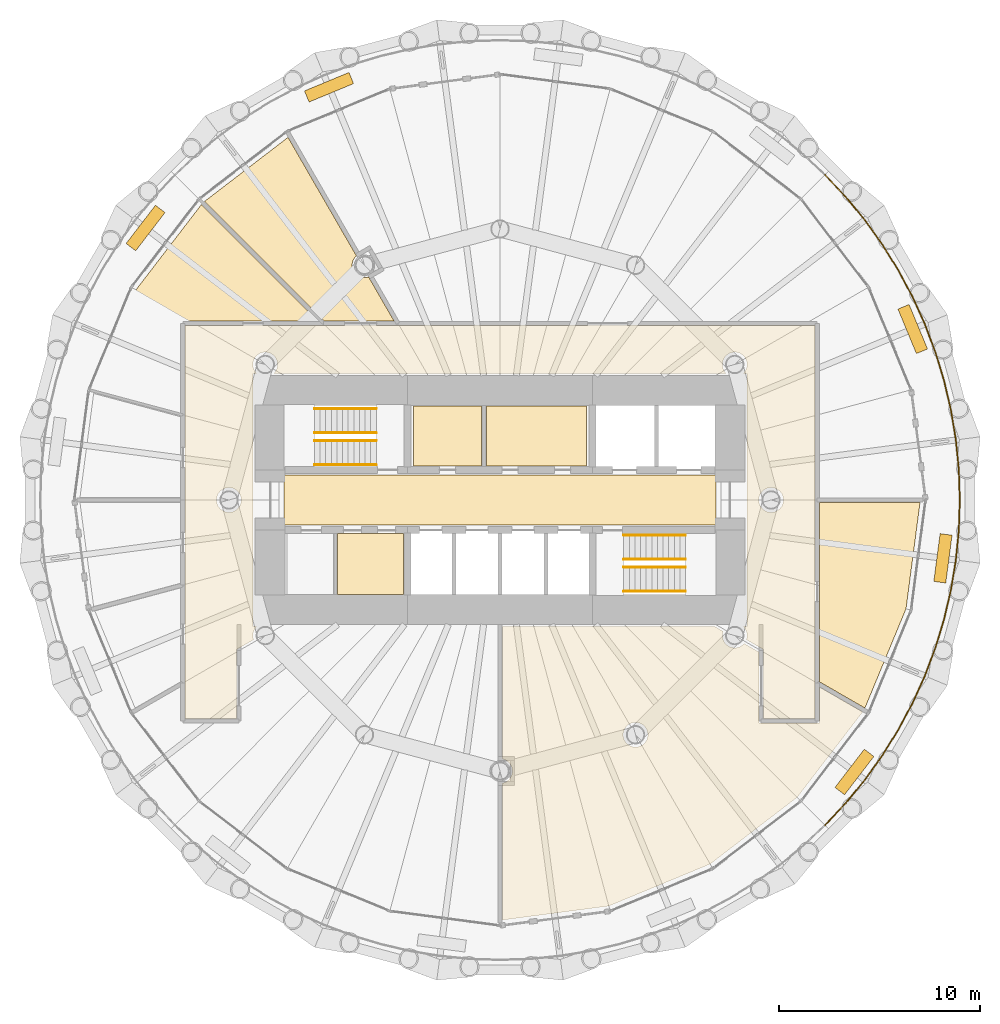
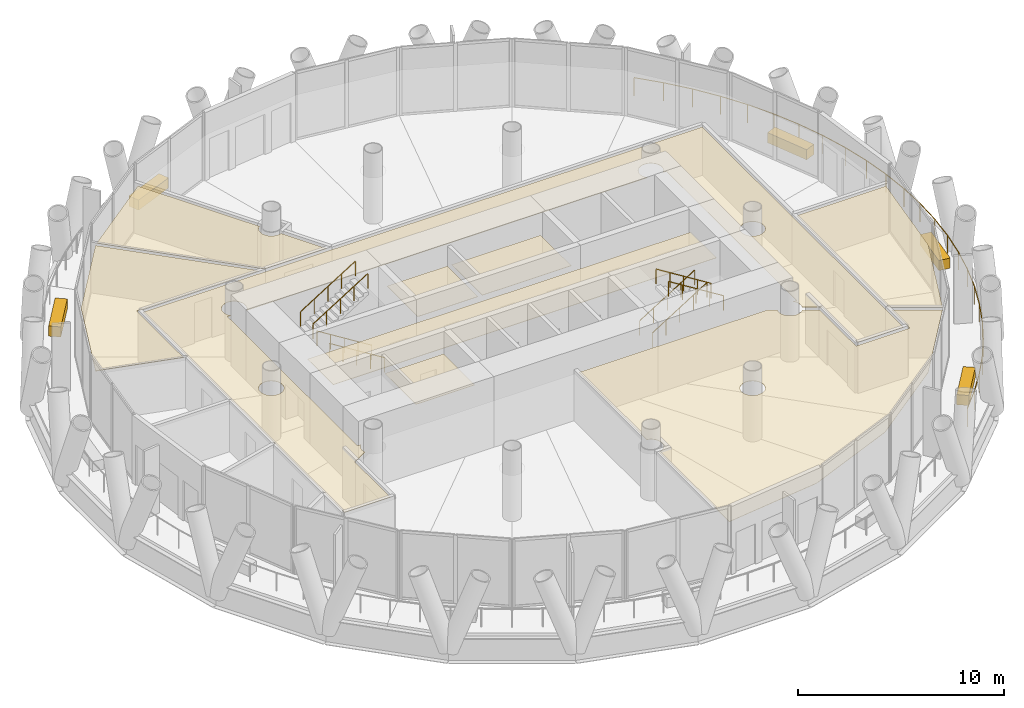
# One storey, part 13 of 14: 14 coverings, 9 railings.
"""IFC4 building model written with IfcOpenShell, lengths in metres."""

from ifc_helpers import new_model, si_unit, direction, frame, origin, origin_2d, place, context, subcontext, project, spatial, polyline, rectangle, circle, outline, extrude, material, layer, layer_set, type_object, element, save


model = new_model("IFC4")

# Units and contexts
model_context = context("Model", 3, precision=1e-05, world=origin(), true_north=direction((0.0, 1.0)))
body_context = subcontext(model_context, "Body", "Model", "MODEL_VIEW")
ifc_project = project(units=[si_unit("LENGTHUNIT", "METRE"), si_unit("AREAUNIT", "SQUARE_METRE"), si_unit("VOLUMEUNIT", "CUBIC_METRE"), si_unit("PLANEANGLEUNIT", "RADIAN"), si_unit("MASSUNIT", "GRAM", prefix="KILO")], contexts=[model_context])

# Site, building, storey
site_placement = place(None, origin())
site = spatial("IfcSite", under=ifc_project, at=site_placement, CompositionType="ELEMENT")
building_placement = place(site_placement, origin())
building = spatial("IfcBuilding", under=site, at=building_placement, Name="Qaws Media Tower", CompositionType="ELEMENT")
storey_placement = place(building_placement, frame((0.0, 0.0, 202.39990234375)))
storey = spatial("IfcBuildingStorey", under=building, at=storey_placement, Name="L46", CompositionType="ELEMENT", Elevation=202.39990234375)

# Covering
ifc_material_1 = material(Name="40 perforated acoustic panels with mineral wool backing, suspended", Category="mineral fibre")
ifc_layer_1 = layer(ifc_material_1, 0.0400390625)
ifc_layer_set_1 = layer_set([ifc_layer_1], Name="Acoustic panel ceiling 40")
covering_type_1 = type_object("IfcCoveringType", Name="Acoustic panel ceiling 40", PredefinedType="CEILING", material=ifc_layer_set_1)
covering_1_placement = place(storey_placement, frame((0.0, 0.0, 2.85009765625)))
element("IfcCovering", 1, at=covering_1_placement, inside=storey, type_object=covering_type_1, Name="CL3 ceiling L46-04 Meeting room", PredefinedType="CEILING", context=body_context, shape_type="SweptSolid", body=[
    extrude(outline(polyline([(41.86962890625, 60.467529296875), (45.12744140625, 64.71337890625), (50.928466796875, 58.91259765625), (44.08740234375, 58.91259765625), (44.08740234375, 54.380126953125), (39.821533203125, 55.523193359375), (41.86962890625, 60.467529296875)])), origin(), (0.0, 0.0, 1.0), 0.0400390625),
])

# Railing
ifc_material_2 = material(Name="Stainless steel and glass guard", Category="steel")
railing_type_1 = type_object("IfcRailingType", Name="Balcony guard 1100", PredefinedType="GUARDRAIL", material=ifc_material_2)
railing_placement = place(storey_placement, frame((76.192626953125, 33.807373046875, 0.0)))
element("IfcRailing", 2, at=railing_placement, inside=storey, type_object=railing_type_1, Name="GR1 balcony guard L46-4", PredefinedType="GUARDRAIL", context=body_context, shape_type="SweptSolid", body=[
    extrude(circle(Radius=0.02392578125, at=origin_2d()), frame((0.0, 0.0, 1.076171875), z_axis=(0.683675509579, 0.729786131412, 0.0), x_axis=(-0.729786131412, 0.683675509579, 0.0)), (0.0, 0.0, 1.0), 1.498291015625),
    extrude(circle(Radius=0.02392578125, at=origin_2d()), frame((1.0244140625, 1.093505859375, 1.076171875), z_axis=(0.634381518416, 0.773020109112, 0.0), x_axis=(-0.773020109112, 0.634381518416, 0.0)), (0.0, 0.0, 1.0), 1.49853515625),
    extrude(circle(Radius=0.02392578125, at=origin_2d()), frame((1.97509765625, 2.251953125, 1.076171875), z_axis=(0.582578137613, 0.812774700378, 0.0), x_axis=(-0.812774700378, 0.582578137613, 0.0)), (0.0, 0.0, 1.0), 1.49853515625),
    extrude(circle(Radius=0.02392578125, at=origin_2d()), frame((2.84814453125, 3.469970703125, 1.076171875), z_axis=(0.527991284342, 0.84924978873, 0.0), x_axis=(-0.84924978873, 0.527991284342, 0.0)), (0.0, 0.0, 1.0), 1.49853515625),
    extrude(circle(Radius=0.02392578125, at=origin_2d()), frame((3.639404296875, 4.74267578125, 1.076171875), z_axis=(0.471357606408, 0.881942178876, 0.0), x_axis=(-0.881942178876, 0.471357606408, 0.0)), (0.0, 0.0, 1.0), 1.49853515625),
    extrude(circle(Radius=0.02392578125, at=origin_2d()), frame((4.345703125, 6.064208984375, 1.076171875), z_axis=(0.412673353066, 0.910879082902, 0.0), x_axis=(-0.910879082902, 0.412673353066, 0.0)), (0.0, 0.0, 1.0), 1.49853515625),
    extrude(circle(Radius=0.02392578125, at=origin_2d()), frame((4.964111328125, 7.42919921875, 1.076171875), z_axis=(0.352408662738, 0.935846213022, 0.0), x_axis=(-0.935846213022, 0.352408662738, 0.0)), (0.0, 0.0, 1.0), 1.49853515625),
    extrude(circle(Radius=0.02392578125, at=origin_2d()), frame((5.4921875, 8.83154296875, 1.076171875), z_axis=(0.290156607475, 0.956979175917, 0.0), x_axis=(-0.956979175917, 0.290156607475, 0.0)), (0.0, 0.0, 1.0), 1.49853515625),
    extrude(circle(Radius=0.02392578125, at=origin_2d()), frame((5.927001953125, 10.265625, 1.076171875), z_axis=(0.227095715315, 0.973872443437, 0.0), x_axis=(-0.973872443437, 0.227095715315, 0.0)), (0.0, 0.0, 1.0), 1.49853515625),
    extrude(circle(Radius=0.02392578125, at=origin_2d()), frame((6.267333984375, 11.72509765625, 1.076171875), z_axis=(0.162919318839, 0.98663939489, 0.0), x_axis=(-0.98663939489, 0.162919318839, 0.0)), (0.0, 0.0, 1.0), 1.49853515625),
    extrude(circle(Radius=0.02392578125, at=origin_2d()), frame((6.511474609375, 13.20361328125, 1.076171875), z_axis=(0.098084027218, 0.995178136619, 0.0), x_axis=(-0.995178136619, 0.098084027218, 0.0)), (0.0, 0.0, 1.0), 1.49853515625),
    extrude(circle(Radius=0.02392578125, at=origin_2d()), frame((6.658447265625, 14.69482421875, 1.076171875), z_axis=(0.032582528068, 0.999469048478, 0.0), x_axis=(-0.999469048478, 0.032582528068, 0.0)), (0.0, 0.0, 1.0), 1.49853515625),
    extrude(circle(Radius=0.02392578125, at=origin_2d()), frame((6.707275390625, 16.192626953125, 1.076171875), z_axis=(-0.032582528068, 0.999469048478, 0.0), x_axis=(-0.999469048478, -0.032582528068, 0.0)), (0.0, 0.0, 1.0), 1.49853515625),
    extrude(circle(Radius=0.02392578125, at=origin_2d()), frame((6.658447265625, 17.6904296875, 1.076171875), z_axis=(-0.098084027218, 0.995178136619, 0.0), x_axis=(-0.995178136619, -0.098084027218, 0.0)), (0.0, 0.0, 1.0), 1.49853515625),
    extrude(circle(Radius=0.02392578125, at=origin_2d()), frame((6.511474609375, 19.181640625, 1.076171875), z_axis=(-0.162919318839, 0.98663939489, 0.0), x_axis=(-0.98663939489, -0.162919318839, 0.0)), (0.0, 0.0, 1.0), 1.49853515625),
    extrude(circle(Radius=0.02392578125, at=origin_2d()), frame((6.267333984375, 20.66015625, 1.076171875), z_axis=(-0.227095715315, 0.973872443437, 0.0), x_axis=(-0.973872443437, -0.227095715315, 0.0)), (0.0, 0.0, 1.0), 1.49853515625),
    extrude(circle(Radius=0.02392578125, at=origin_2d()), frame((5.927001953125, 22.11962890625, 1.076171875), z_axis=(-0.290156607475, 0.956979175917, 0.0), x_axis=(-0.956979175917, -0.290156607475, 0.0)), (0.0, 0.0, 1.0), 1.49853515625),
    extrude(circle(Radius=0.02392578125, at=origin_2d()), frame((5.4921875, 23.5537109375, 1.076171875), z_axis=(-0.352408662738, 0.935846213022, 0.0), x_axis=(-0.935846213022, -0.352408662738, 0.0)), (0.0, 0.0, 1.0), 1.49853515625),
    extrude(circle(Radius=0.02392578125, at=origin_2d()), frame((4.964111328125, 24.9560546875, 1.076171875), z_axis=(-0.412673353066, 0.910879082902, 0.0), x_axis=(-0.910879082902, -0.412673353066, 0.0)), (0.0, 0.0, 1.0), 1.49853515625),
    extrude(circle(Radius=0.02392578125, at=origin_2d()), frame((4.345703125, 26.321044921875, 1.076171875), z_axis=(-0.471357606408, 0.881942178876, 0.0), x_axis=(-0.881942178876, -0.471357606408, 0.0)), (0.0, 0.0, 1.0), 1.49853515625),
    extrude(circle(Radius=0.02392578125, at=origin_2d()), frame((3.639404296875, 27.642578125, 1.076171875), z_axis=(-0.527991284342, 0.84924978873, 0.0), x_axis=(-0.84924978873, -0.527991284342, 0.0)), (0.0, 0.0, 1.0), 1.49853515625),
    extrude(circle(Radius=0.02392578125, at=origin_2d()), frame((2.84814453125, 28.915283203125, 1.076171875), z_axis=(-0.582578137613, 0.812774700378, 0.0), x_axis=(-0.812774700378, -0.582578137613, 0.0)), (0.0, 0.0, 1.0), 1.49853515625),
    extrude(circle(Radius=0.02392578125, at=origin_2d()), frame((1.97509765625, 30.13330078125, 1.076171875), z_axis=(-0.634381518416, 0.773020109112, 0.0), x_axis=(-0.773020109112, -0.634381518416, 0.0)), (0.0, 0.0, 1.0), 1.49853515625),
    extrude(circle(Radius=0.02392578125, at=origin_2d()), frame((1.0244140625, 31.291748046875, 1.076171875), z_axis=(-0.683675509579, 0.729786131412, 0.0), x_axis=(-0.729786131412, -0.683675509579, 0.0)), (0.0, 0.0, 1.0), 1.498291015625),
    extrude(circle(Radius=0.02099609375, at=origin_2d()), origin(), (0.0, 0.0, 1.0), 1.052001953125),
    extrude(circle(Radius=0.02099609375, at=origin_2d()), frame((1.0244140625, 1.093505859375, 0.0)), (0.0, 0.0, 1.0), 1.052001953125),
    extrude(circle(Radius=0.02099609375, at=origin_2d()), frame((1.97509765625, 2.251953125, 0.0)), (0.0, 0.0, 1.0), 1.052001953125),
    extrude(circle(Radius=0.02099609375, at=origin_2d()), frame((2.84814453125, 3.469970703125, 0.0)), (0.0, 0.0, 1.0), 1.052001953125),
    extrude(circle(Radius=0.02099609375, at=origin_2d()), frame((3.639404296875, 4.74267578125, 0.0)), (0.0, 0.0, 1.0), 1.052001953125),
    extrude(circle(Radius=0.02099609375, at=origin_2d()), frame((4.345703125, 6.064208984375, 0.0)), (0.0, 0.0, 1.0), 1.052001953125),
    extrude(circle(Radius=0.02099609375, at=origin_2d()), frame((4.964111328125, 7.42919921875, 0.0)), (0.0, 0.0, 1.0), 1.052001953125),
    extrude(circle(Radius=0.02099609375, at=origin_2d()), frame((5.4921875, 8.83154296875, 0.0)), (0.0, 0.0, 1.0), 1.052001953125),
    extrude(circle(Radius=0.02099609375, at=origin_2d()), frame((5.927001953125, 10.265625, 0.0)), (0.0, 0.0, 1.0), 1.052001953125),
    extrude(circle(Radius=0.02099609375, at=origin_2d()), frame((6.267333984375, 11.72509765625, 0.0)), (0.0, 0.0, 1.0), 1.052001953125),
    extrude(circle(Radius=0.02099609375, at=origin_2d()), frame((6.511474609375, 13.20361328125, 0.0)), (0.0, 0.0, 1.0), 1.052001953125),
    extrude(circle(Radius=0.02099609375, at=origin_2d()), frame((6.658447265625, 14.69482421875, 0.0)), (0.0, 0.0, 1.0), 1.052001953125),
    extrude(circle(Radius=0.02099609375, at=origin_2d()), frame((6.707275390625, 16.192626953125, 0.0)), (0.0, 0.0, 1.0), 1.052001953125),
    extrude(circle(Radius=0.02099609375, at=origin_2d()), frame((6.658447265625, 17.6904296875, 0.0)), (0.0, 0.0, 1.0), 1.052001953125),
    extrude(circle(Radius=0.02099609375, at=origin_2d()), frame((6.511474609375, 19.181640625, 0.0)), (0.0, 0.0, 1.0), 1.052001953125),
    extrude(circle(Radius=0.02099609375, at=origin_2d()), frame((6.267333984375, 20.66015625, 0.0)), (0.0, 0.0, 1.0), 1.052001953125),
    extrude(circle(Radius=0.02099609375, at=origin_2d()), frame((5.927001953125, 22.11962890625, 0.0)), (0.0, 0.0, 1.0), 1.052001953125),
    extrude(circle(Radius=0.02099609375, at=origin_2d()), frame((5.4921875, 23.5537109375, 0.0)), (0.0, 0.0, 1.0), 1.052001953125),
    extrude(circle(Radius=0.02099609375, at=origin_2d()), frame((4.964111328125, 24.9560546875, 0.0)), (0.0, 0.0, 1.0), 1.052001953125),
    extrude(circle(Radius=0.02099609375, at=origin_2d()), frame((4.345703125, 26.321044921875, 0.0)), (0.0, 0.0, 1.0), 1.052001953125),
    extrude(circle(Radius=0.02099609375, at=origin_2d()), frame((3.639404296875, 27.642578125, 0.0)), (0.0, 0.0, 1.0), 1.052001953125),
    extrude(circle(Radius=0.02099609375, at=origin_2d()), frame((2.84814453125, 28.915283203125, 0.0)), (0.0, 0.0, 1.0), 1.052001953125),
    extrude(circle(Radius=0.02099609375, at=origin_2d()), frame((1.97509765625, 30.13330078125, 0.0)), (0.0, 0.0, 1.0), 1.052001953125),
    extrude(circle(Radius=0.02099609375, at=origin_2d()), frame((1.0244140625, 31.291748046875, 0.0)), (0.0, 0.0, 1.0), 1.052001953125),
    extrude(circle(Radius=0.02099609375, at=origin_2d()), frame((0.0, 32.38525390625, 0.0)), (0.0, 0.0, 1.0), 1.052001953125),
])

# Coverings
ifc_material_3 = material(Name="600 x 600 mineral fibre tiles in exposed grid, suspended", Category="mineral fibre")
ifc_layer_2 = layer(ifc_material_3, 0.02001953125)
ifc_layer_set_2 = layer_set([ifc_layer_2], Name="Mineral fibre tile ceiling 20")
covering_type_2 = type_object("IfcCoveringType", Name="Mineral fibre tile ceiling 20", PredefinedType="CEILING", material=ifc_layer_set_2)
covering_2_placement = place(storey_placement, frame((0.0, 0.0, 2.85009765625)))
element("IfcCovering", 3, at=covering_2_placement, inside=storey, type_object=covering_type_2, Name="CL1 ceiling L46-C07 Ladies toilets", PredefinedType="CEILING", context=body_context, shape_type="SweptSolid", body=[
    extrude(outline(polyline([(55.695068359375, 51.695068359375), (55.695068359375, 54.679931640625), (59.075439453125, 54.679931640625), (59.075439453125, 51.695068359375), (55.695068359375, 51.695068359375)])), origin(), (0.0, 0.0, 1.0), 0.02001953125),
])
covering_3_placement = place(storey_placement, frame((0.0, 0.0, 2.85009765625)))
element("IfcCovering", 4, at=covering_3_placement, inside=storey, type_object=covering_type_2, Name="CL1 ceiling L46-C08 Gents toilets", PredefinedType="CEILING", context=body_context, shape_type="SweptSolid", body=[
    extrude(outline(polyline([(59.3154296875, 51.695068359375), (59.3154296875, 54.679931640625), (64.304931640625, 54.679931640625), (64.304931640625, 51.695068359375), (59.3154296875, 51.695068359375)])), origin(), (0.0, 0.0, 1.0), 0.02001953125),
])
covering_4_placement = place(storey_placement, frame((0.0, 0.0, 2.85009765625)))
element("IfcCovering", 5, at=covering_4_placement, inside=storey, type_object=covering_type_2, Name="CL1 ceiling L46-01 Corridor", PredefinedType="CEILING", context=body_context, shape_type="SweptSolid", body=[
    extrude(outline(polyline([(46.887451171875, 39.112548828125), (44.3125, 39.112548828125), (44.3125, 58.6875), (75.6875, 58.6875), (75.6875, 39.112548828125), (73.112548828125, 39.112548828125), (73.112548828125, 42.559326171875), (72.27197265625, 43.044921875), (72.287353515625, 43.09033203125), (72.302978515625, 43.16943359375), (72.308349609375, 43.25), (72.302978515625, 43.33056640625), (72.287353515625, 43.40966796875), (72.261474609375, 43.486083984375), (72.2255859375, 43.55859375), (72.180908203125, 43.62548828125), (72.126220703125, 43.6875), (72.3125, 43.6875), (72.3125, 56.3125), (72.126220703125, 56.3125), (72.180908203125, 56.37451171875), (72.2255859375, 56.44140625), (72.261474609375, 56.513916015625), (72.287353515625, 56.59033203125), (72.302978515625, 56.66943359375), (72.308349609375, 56.75), (72.302978515625, 56.83056640625), (72.287353515625, 56.90966796875), (72.261474609375, 56.986083984375), (72.2255859375, 57.05859375), (72.180908203125, 57.12548828125), (72.127685546875, 57.186279296875), (72.06689453125, 57.239501953125), (71.999755859375, 57.2841796875), (71.927490234375, 57.320068359375), (71.85107421875, 57.345947265625), (71.77197265625, 57.36181640625), (71.69140625, 57.366943359375), (71.61083984375, 57.36181640625), (71.53173828125, 57.345947265625), (71.455078125, 57.320068359375), (71.3828125, 57.2841796875), (71.315673828125, 57.239501953125), (71.255126953125, 57.186279296875), (71.201904296875, 57.12548828125), (71.156982421875, 57.05859375), (71.121337890625, 56.986083984375), (71.095458984375, 56.90966796875), (71.07958984375, 56.83056640625), (71.07421875, 56.75), (71.07958984375, 56.66943359375), (71.095458984375, 56.59033203125), (71.121337890625, 56.513916015625), (71.156982421875, 56.44140625), (71.201904296875, 56.37451171875), (71.25634765625, 56.3125), (48.74365234375, 56.3125), (48.798095703125, 56.37451171875), (48.843017578125, 56.44140625), (48.878662109375, 56.513916015625), (48.904541015625, 56.59033203125), (48.92041015625, 56.66943359375), (48.92578125, 56.75), (48.92041015625, 56.83056640625), (48.904541015625, 56.90966796875), (48.878662109375, 56.986083984375), (48.843017578125, 57.05859375), (48.798095703125, 57.12548828125), (48.744873046875, 57.186279296875), (48.684326171875, 57.239501953125), (48.6171875, 57.2841796875), (48.544921875, 57.320068359375), (48.46826171875, 57.345947265625), (48.38916015625, 57.36181640625), (48.30859375, 57.366943359375), (48.22802734375, 57.36181640625), (48.14892578125, 57.345947265625), (48.072509765625, 57.320068359375), (48.000244140625, 57.2841796875), (47.93310546875, 57.239501953125), (47.872314453125, 57.186279296875), (47.819091796875, 57.12548828125), (47.7744140625, 57.05859375), (47.738525390625, 56.986083984375), (47.712646484375, 56.90966796875), (47.697021484375, 56.83056640625), (47.691650390625, 56.75), (47.697021484375, 56.66943359375), (47.712646484375, 56.59033203125), (47.738525390625, 56.513916015625), (47.7744140625, 56.44140625), (47.819091796875, 56.37451171875), (47.873779296875, 56.3125), (47.6875, 56.3125), (47.6875, 43.6875), (47.873779296875, 43.6875), (47.819091796875, 43.62548828125), (47.7744140625, 43.55859375), (47.738525390625, 43.486083984375), (47.712646484375, 43.40966796875), (47.697021484375, 43.33056640625), (47.691650390625, 43.25), (47.697021484375, 43.16943359375), (47.712646484375, 43.09033203125), (47.72802734375, 43.044921875), (46.887451171875, 42.559326171875), (46.887451171875, 39.112548828125)]), holes=[polyline([(47.070068359375, 49.763916015625), (47.095947265625, 49.84033203125), (47.11181640625, 49.91943359375), (47.116943359375, 50.0), (47.11181640625, 50.08056640625), (47.095947265625, 50.15966796875), (47.070068359375, 50.236083984375), (47.0341796875, 50.30859375), (46.989501953125, 50.37548828125), (46.936279296875, 50.436279296875), (46.87548828125, 50.489501953125), (46.80859375, 50.5341796875), (46.736083984375, 50.570068359375), (46.65966796875, 50.595947265625), (46.58056640625, 50.61181640625), (46.5, 50.616943359375), (46.41943359375, 50.61181640625), (46.34033203125, 50.595947265625), (46.263916015625, 50.570068359375), (46.19140625, 50.5341796875), (46.12451171875, 50.489501953125), (46.063720703125, 50.436279296875), (46.010498046875, 50.37548828125), (45.9658203125, 50.30859375), (45.929931640625, 50.236083984375), (45.904052734375, 50.15966796875), (45.88818359375, 50.08056640625), (45.883056640625, 50.0), (45.88818359375, 49.91943359375), (45.904052734375, 49.84033203125), (45.929931640625, 49.763916015625), (45.9658203125, 49.69140625), (46.010498046875, 49.62451171875), (46.063720703125, 49.563720703125), (46.12451171875, 49.510498046875), (46.19140625, 49.4658203125), (46.263916015625, 49.429931640625), (46.34033203125, 49.404052734375), (46.41943359375, 49.38818359375), (46.5, 49.383056640625), (46.58056640625, 49.38818359375), (46.65966796875, 49.404052734375), (46.736083984375, 49.429931640625), (46.80859375, 49.4658203125), (46.87548828125, 49.510498046875), (46.936279296875, 49.563720703125), (46.989501953125, 49.62451171875), (47.0341796875, 49.69140625), (47.070068359375, 49.763916015625)]), polyline([(74.095947265625, 49.84033203125), (74.11181640625, 49.91943359375), (74.116943359375, 50.0), (74.11181640625, 50.08056640625), (74.095947265625, 50.15966796875), (74.070068359375, 50.236083984375), (74.0341796875, 50.30859375), (73.989501953125, 50.37548828125), (73.936279296875, 50.436279296875), (73.87548828125, 50.489501953125), (73.80859375, 50.5341796875), (73.736083984375, 50.570068359375), (73.65966796875, 50.595947265625), (73.58056640625, 50.61181640625), (73.5, 50.616943359375), (73.41943359375, 50.61181640625), (73.34033203125, 50.595947265625), (73.263916015625, 50.570068359375), (73.19140625, 50.5341796875), (73.12451171875, 50.489501953125), (73.063720703125, 50.436279296875), (73.010498046875, 50.37548828125), (72.9658203125, 50.30859375), (72.929931640625, 50.236083984375), (72.904052734375, 50.15966796875), (72.88818359375, 50.08056640625), (72.883056640625, 50.0), (72.88818359375, 49.91943359375), (72.904052734375, 49.84033203125), (72.929931640625, 49.763916015625), (72.9658203125, 49.69140625), (73.010498046875, 49.62451171875), (73.063720703125, 49.563720703125), (73.12451171875, 49.510498046875), (73.19140625, 49.4658203125), (73.263916015625, 49.429931640625), (73.34033203125, 49.404052734375), (73.41943359375, 49.38818359375), (73.5, 49.383056640625), (73.58056640625, 49.38818359375), (73.65966796875, 49.404052734375), (73.736083984375, 49.429931640625), (73.80859375, 49.4658203125), (73.87548828125, 49.510498046875), (73.936279296875, 49.563720703125), (73.989501953125, 49.62451171875), (74.0341796875, 49.69140625), (74.070068359375, 49.763916015625), (74.095947265625, 49.84033203125)])]), origin(), (0.0, 0.0, 1.0), 0.02001953125),
])
covering_5_placement = place(storey_placement, frame((0.0, 0.0, 2.85009765625)))
element("IfcCovering", 6, at=covering_5_placement, inside=storey, type_object=covering_type_2, Name="CL1 ceiling L46-09 Tenant studio office", PredefinedType="CEILING", context=body_context, shape_type="SweptSolid", body=[
    extrude(outline(polyline([(72.887451171875, 38.887451171875), (75.91259765625, 38.887451171875), (75.91259765625, 40.68310546875), (78.061279296875, 39.4423828125), (74.803466796875, 35.196533203125), (70.467529296875, 31.86962890625), (65.41845703125, 29.778076171875), (60.112548828125, 29.07958984375), (60.112548828125, 35.89453125), (60.15966796875, 35.904052734375), (60.236083984375, 35.929931640625), (60.30859375, 35.9658203125), (60.37548828125, 36.010498046875), (60.436279296875, 36.063720703125), (60.489501953125, 36.12451171875), (60.5341796875, 36.19140625), (60.570068359375, 36.263916015625), (60.595947265625, 36.34033203125), (60.61181640625, 36.41943359375), (60.616943359375, 36.5), (60.61181640625, 36.58056640625), (60.595947265625, 36.65966796875), (60.570068359375, 36.736083984375), (60.5341796875, 36.80859375), (60.489501953125, 36.87548828125), (60.436279296875, 36.936279296875), (60.37548828125, 36.989501953125), (60.30859375, 37.0341796875), (60.236083984375, 37.070068359375), (60.15966796875, 37.095947265625), (60.112548828125, 37.10546875), (60.112548828125, 43.6875), (70.70849609375, 43.6875), (71.11083984375, 43.455322265625), (71.095458984375, 43.40966796875), (71.07958984375, 43.33056640625), (71.07421875, 43.25), (71.07958984375, 43.16943359375), (71.095458984375, 43.09033203125), (71.121337890625, 43.013916015625), (71.156982421875, 42.94140625), (71.201904296875, 42.87451171875), (71.255126953125, 42.813720703125), (71.315673828125, 42.760498046875), (71.3828125, 42.7158203125), (71.455078125, 42.679931640625), (71.53173828125, 42.654052734375), (71.61083984375, 42.63818359375), (71.69140625, 42.633056640625), (71.77197265625, 42.63818359375), (71.85107421875, 42.654052734375), (71.927490234375, 42.679931640625), (71.999755859375, 42.7158203125), (72.06689453125, 42.760498046875), (72.127685546875, 42.813720703125), (72.159423828125, 42.849853515625), (72.887451171875, 42.429443359375), (72.887451171875, 38.887451171875)]), holes=[polyline([(67.320068359375, 38.072509765625), (67.345947265625, 38.14892578125), (67.36181640625, 38.22802734375), (67.366943359375, 38.30859375), (67.36181640625, 38.38916015625), (67.345947265625, 38.46826171875), (67.320068359375, 38.544921875), (67.2841796875, 38.6171875), (67.239501953125, 38.684326171875), (67.186279296875, 38.744873046875), (67.12548828125, 38.798095703125), (67.05859375, 38.843017578125), (66.986083984375, 38.878662109375), (66.90966796875, 38.904541015625), (66.83056640625, 38.92041015625), (66.75, 38.92578125), (66.66943359375, 38.92041015625), (66.59033203125, 38.904541015625), (66.513916015625, 38.878662109375), (66.44140625, 38.843017578125), (66.37451171875, 38.798095703125), (66.313720703125, 38.744873046875), (66.260498046875, 38.684326171875), (66.2158203125, 38.6171875), (66.179931640625, 38.544921875), (66.154052734375, 38.46826171875), (66.13818359375, 38.38916015625), (66.133056640625, 38.30859375), (66.13818359375, 38.22802734375), (66.154052734375, 38.14892578125), (66.179931640625, 38.072509765625), (66.2158203125, 38.000244140625), (66.260498046875, 37.93310546875), (66.313720703125, 37.872314453125), (66.37451171875, 37.819091796875), (66.44140625, 37.7744140625), (66.513916015625, 37.738525390625), (66.59033203125, 37.712646484375), (66.66943359375, 37.697021484375), (66.75, 37.691650390625), (66.83056640625, 37.697021484375), (66.90966796875, 37.712646484375), (66.986083984375, 37.738525390625), (67.05859375, 37.7744140625), (67.12548828125, 37.819091796875), (67.186279296875, 37.872314453125), (67.239501953125, 37.93310546875), (67.2841796875, 38.000244140625), (67.320068359375, 38.072509765625)])]), origin(), (0.0, 0.0, 1.0), 0.02001953125),
])
covering_6_placement = place(storey_placement, frame((0.0, 0.0, 2.85009765625)))
element("IfcCovering", 7, at=covering_6_placement, inside=storey, type_object=covering_type_2, Name="CL1 ceiling L46-10 Tenant studio office", PredefinedType="CEILING", context=body_context, shape_type="SweptSolid", body=[
    extrude(outline(polyline([(80.221923828125, 44.58154296875), (78.173828125, 39.63720703125), (75.91259765625, 40.94287109375), (75.91259765625, 49.887451171875), (80.92041015625, 49.887451171875), (80.221923828125, 44.58154296875)])), origin(), (0.0, 0.0, 1.0), 0.02001953125),
])
covering_7_placement = place(storey_placement, frame((0.0, 0.0, 2.85009765625)))
element("IfcCovering", 8, at=covering_7_placement, inside=storey, type_object=covering_type_2, Name="CL1 ceiling L46-C05 First aid room", PredefinedType="CEILING", context=body_context, shape_type="SweptSolid", body=[
    extrude(outline(polyline([(51.89990234375, 45.300048828125), (51.89990234375, 48.324951171875), (55.199951171875, 48.324951171875), (55.199951171875, 45.300048828125), (51.89990234375, 45.300048828125)])), origin(), (0.0, 0.0, 1.0), 0.02001953125),
])
ifc_material_4 = material(Name="Precast concrete planter with trailing planting", Category="concrete")
ifc_layer_3 = layer(ifc_material_4, 0.60009765625)
ifc_layer_set_3 = layer_set([ifc_layer_3], Name="Planter 2400x600")
covering_type_3 = type_object("IfcCoveringType", Name="Planter 2400x600", PredefinedType="USERDEFINED", material=ifc_layer_set_3)
for number, where, z_axis, x_axis, name in (
    (9, (80.556396484375, 58.5146484375, 0.0), (0.0, 0.0, 1.0), (-0.382683432365, 0.923879532511, 0.0), "PL1 balcony planter L46-01"),
    (10, (51.4853515625, 70.556396484375, 0.0), (0.0, 0.0, 1.0), (-0.923879532511, -0.382683432365, 0.0), "PL1 balcony planter L46-04"),
    (11, (42.347900390625, 63.544921875, 0.0), (0.0, 0.0, 1.0), (-0.608761429009, -0.793353340291, 0.0), "PL1 balcony planter L46-05"),
    (12, (77.652099609375, 36.455078125, 0.0), (0.0, 0.0, 1.0), (0.608761429009, 0.793353340291, 0.0), "PL1 balcony planter L46-11"),
    (13, (82.0595703125, 47.095703125, 0.0), (0.0, 0.0, 1.0), (0.13052619222, 0.991444861374, 0.0), "PL1 balcony planter L46-12"),
):
    element("IfcCovering", number, at=place(storey_placement, frame(where, z_axis=z_axis, x_axis=x_axis)), inside=storey, type_object=covering_type_3, Name=name, ObjectType="PLANTER", PredefinedType="USERDEFINED", context=body_context, shape_type="SweptSolid", body=[
        extrude(rectangle(XDim=2.39990234375, YDim=0.60009765625, at=origin_2d()), origin(), (0.0, 0.0, 1.0), 0.60009765625),
    ])
ifc_material_5 = material(Name="Two layers 12.5 moisture-resistant plasterboard on suspended metal furring", Category="gypsum")
ifc_layer_4 = layer(ifc_material_5, 0.02490234375)
ifc_layer_set_4 = layer_set([ifc_layer_4], Name="Plasterboard ceiling 25")
covering_type_4 = type_object("IfcCoveringType", Name="Plasterboard ceiling 25", PredefinedType="CEILING", material=ifc_layer_set_4)
covering_8_placement = place(storey_placement, frame((0.0, 0.0, 2.85009765625)))
element("IfcCovering", 14, at=covering_8_placement, inside=storey, type_object=covering_type_4, Name="CL2 ceiling L46-C01 Lift lobby", PredefinedType="CEILING", context=body_context, shape_type="SweptSolid", body=[
    extrude(outline(polyline([(49.25, 48.75), (49.25, 51.25), (70.75, 51.25), (70.75, 48.75), (49.25, 48.75)])), origin(), (0.0, 0.0, 1.0), 0.02490234375),
])
covering_9_placement = place(storey_placement, frame((0.0, 0.0, 2.85009765625)))
element("IfcCovering", 15, at=covering_9_placement, inside=storey, type_object=covering_type_4, Name="CL2 ceiling L46-03 Tenant reception", PredefinedType="CEILING", context=body_context, shape_type="SweptSolid", body=[
    extrude(outline(polyline([(49.4423828125, 68.061279296875), (52.849853515625, 62.159423828125), (52.813720703125, 62.127685546875), (52.760498046875, 62.06689453125), (52.7158203125, 61.999755859375), (52.679931640625, 61.927490234375), (52.654052734375, 61.85107421875), (52.63818359375, 61.77197265625), (52.633056640625, 61.69140625), (52.63818359375, 61.61083984375), (52.654052734375, 61.53173828125), (52.679931640625, 61.455078125), (52.7158203125, 61.3828125), (52.760498046875, 61.315673828125), (52.813720703125, 61.255126953125), (52.87451171875, 61.201904296875), (52.94140625, 61.156982421875), (53.013916015625, 61.121337890625), (53.09033203125, 61.095458984375), (53.16943359375, 61.07958984375), (53.25, 61.07421875), (53.33056640625, 61.07958984375), (53.40966796875, 61.095458984375), (53.455322265625, 61.11083984375), (54.724609375, 58.91259765625), (51.24658203125, 58.91259765625), (45.28662109375, 64.87255859375), (49.4423828125, 68.061279296875)])), origin(), (0.0, 0.0, 1.0), 0.02490234375),
])

# Railings
ifc_material_6 = material(Name="Steel tube handrail", Category="steel")
railing_type_2 = type_object("IfcRailingType", Name="Stair handrail 900", PredefinedType="HANDRAIL", material=ifc_material_6)
for number, where, name in (
    (16, (53.840087890625, 51.75, 0.175048828125), "HR1 handrail S1 flight 1 L46"),
    (17, (53.840087890625, 52.9599609375, 0.175048828125), "HR1 handrail S1 flight 1 L46"),
):
    element("IfcRailing", number, at=place(storey_placement, frame(where)), inside=storey, type_object=railing_type_2, Name=name, PredefinedType="HANDRAIL", context=body_context, shape_type="SweptSolid", body=[
        extrude(circle(Radius=0.02392578125, at=origin_2d()), frame((0.0, 0.0, 0.8759765625), z_axis=(-0.847998304005, 0.0, 0.529998940003), x_axis=(0.0, -1.0, 0.0)), (0.0, 0.0, 1.0), 3.632080078125),
        extrude(circle(Radius=0.02099609375, at=origin_2d()), origin(), (0.0, 0.0, 1.0), 0.851806640625),
        extrude(circle(Radius=0.02099609375, at=origin_2d()), frame((-0.77001953125, 0.0, 0.481201171875)), (0.0, 0.0, 1.0), 0.851806640625),
        extrude(circle(Radius=0.02099609375, at=origin_2d()), frame((-1.5400390625, 0.0, 0.96240234375)), (0.0, 0.0, 1.0), 0.851806640625),
        extrude(circle(Radius=0.02099609375, at=origin_2d()), frame((-2.31005859375, 0.0, 1.44384765625)), (0.0, 0.0, 1.0), 0.851806640625),
        extrude(circle(Radius=0.02099609375, at=origin_2d()), frame((-3.080078125, 0.0, 1.925048828125)), (0.0, 0.0, 1.0), 0.851806640625),
    ])
for number, where, name in (
    (18, (50.760009765625, 54.550048828125, 2.275146484375), "HR1 handrail S1 flight 2 L46"),
    (19, (50.760009765625, 53.340087890625, 2.275146484375), "HR1 handrail S1 flight 2 L46"),
    (20, (66.159912109375, 48.25, 0.175048828125), "HR1 handrail S2 flight 1 L46"),
    (21, (66.159912109375, 47.0400390625, 0.175048828125), "HR1 handrail S2 flight 1 L46"),
):
    element("IfcRailing", number, at=place(storey_placement, frame(where)), inside=storey, type_object=railing_type_2, Name=name, PredefinedType="HANDRAIL", context=body_context, shape_type="SweptSolid", body=[
        extrude(circle(Radius=0.02392578125, at=origin_2d()), frame((0.0, 0.0, 0.8759765625), z_axis=(0.847998304005, 0.0, 0.529998940003), x_axis=(0.0, 1.0, 0.0)), (0.0, 0.0, 1.0), 3.632080078125),
        extrude(circle(Radius=0.02099609375, at=origin_2d()), origin(), (0.0, 0.0, 1.0), 0.851806640625),
        extrude(circle(Radius=0.02099609375, at=origin_2d()), frame((0.77001953125, 0.0, 0.481201171875)), (0.0, 0.0, 1.0), 0.851806640625),
        extrude(circle(Radius=0.02099609375, at=origin_2d()), frame((1.5400390625, 0.0, 0.96240234375)), (0.0, 0.0, 1.0), 0.851806640625),
        extrude(circle(Radius=0.02099609375, at=origin_2d()), frame((2.31005859375, 0.0, 1.44384765625)), (0.0, 0.0, 1.0), 0.851806640625),
        extrude(circle(Radius=0.02099609375, at=origin_2d()), frame((3.080078125, 0.0, 1.925048828125)), (0.0, 0.0, 1.0), 0.851806640625),
    ])
for number, where, name in (
    (22, (69.239990234375, 45.449951171875, 2.275146484375), "HR1 handrail S2 flight 2 L46"),
    (23, (69.239990234375, 46.659912109375, 2.275146484375), "HR1 handrail S2 flight 2 L46"),
):
    element("IfcRailing", number, at=place(storey_placement, frame(where)), inside=storey, type_object=railing_type_2, Name=name, PredefinedType="HANDRAIL", context=body_context, shape_type="SweptSolid", body=[
        extrude(circle(Radius=0.02392578125, at=origin_2d()), frame((0.0, 0.0, 0.8759765625), z_axis=(-0.847998304005, 0.0, 0.529998940003), x_axis=(0.0, -1.0, 0.0)), (0.0, 0.0, 1.0), 3.632080078125),
        extrude(circle(Radius=0.02099609375, at=origin_2d()), origin(), (0.0, 0.0, 1.0), 0.851806640625),
        extrude(circle(Radius=0.02099609375, at=origin_2d()), frame((-0.77001953125, 0.0, 0.481201171875)), (0.0, 0.0, 1.0), 0.851806640625),
        extrude(circle(Radius=0.02099609375, at=origin_2d()), frame((-1.5400390625, 0.0, 0.96240234375)), (0.0, 0.0, 1.0), 0.851806640625),
        extrude(circle(Radius=0.02099609375, at=origin_2d()), frame((-2.31005859375, 0.0, 1.44384765625)), (0.0, 0.0, 1.0), 0.851806640625),
        extrude(circle(Radius=0.02099609375, at=origin_2d()), frame((-3.080078125, 0.0, 1.925048828125)), (0.0, 0.0, 1.0), 0.851806640625),
    ])

save(model, "model.ifc")
